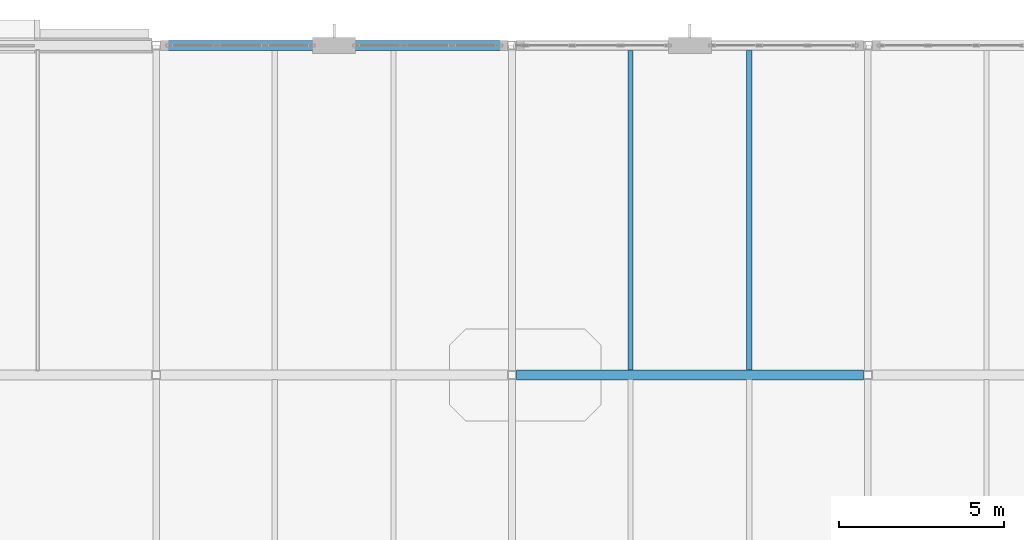
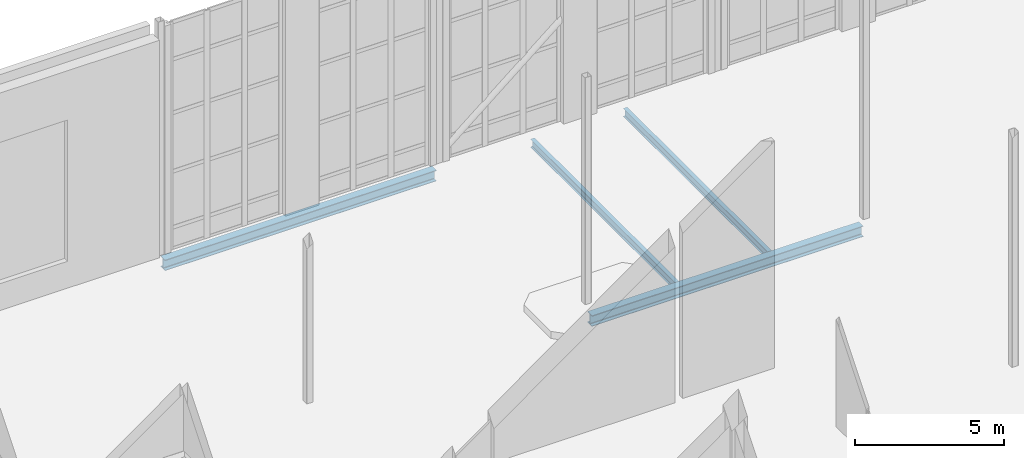
# One storey, part 46 of 100: 4 beams.
"""IFC4 building model written with IfcOpenShell, lengths in metres."""

from ifc_helpers import new_model, si_unit, direction, frame, origin, origin_2d, place, context, subcontext, project, spatial, i_section, extrude, material, material_profile, profile_set, type_object, element, save


model = new_model("IFC4")

# Units and contexts
model_context = context("Model", 3, precision=1e-05, world=origin(), true_north=direction((0.0, 1.0)))
body_context = subcontext(model_context, "Body", "Model", "MODEL_VIEW")
ifc_project = project(units=[si_unit("LENGTHUNIT", "METRE"), si_unit("AREAUNIT", "SQUARE_METRE"), si_unit("VOLUMEUNIT", "CUBIC_METRE"), si_unit("PLANEANGLEUNIT", "RADIAN"), si_unit("MASSUNIT", "GRAM", prefix="KILO")], contexts=[model_context])

# Site, building, storey
site_placement = place(None, origin())
site = spatial("IfcSite", under=ifc_project, at=site_placement, CompositionType="ELEMENT")
building_placement = place(site_placement, origin())
building = spatial("IfcBuilding", under=site, at=building_placement, Name="Tasgan Crest Museum", CompositionType="ELEMENT")
storey_placement = place(building_placement, frame((0.0, 0.0, 14.39990234375)))
storey = spatial("IfcBuildingStorey", under=building, at=storey_placement, Name="L03", CompositionType="ELEMENT", Elevation=14.39990234375)

# Beams
ifc_material_1 = material(Name="Steel S355J2", Category="steel")
ifc_material_profile_1 = material_profile(ifc_material_1, i_section(OverallWidth=0.300048828125, OverallDepth=0.43994140625, WebThickness=0.011474609375, FlangeThickness=0.02099609375, FilletRadius=0.027099609375, at=origin_2d()), Name="HEA 450")
ifc_profile_set_1 = profile_set([ifc_material_profile_1], Name="Steel S355J2")
beam_type_1 = type_object("IfcBeamType", Name="BM-G-HEA450", PredefinedType="BEAM", material=ifc_profile_set_1)
beam_1_placement = place(storey_placement, frame((21.732421875, 102.0, -0.4599609375), z_axis=(1.0, 0.0, 0.0), x_axis=(0.0, 1.0, 0.0)))
element("IfcBeam", 1, at=beam_1_placement, inside=storey, type_object=beam_type_1, Name="Girder L03 L 21.6-32.4", PredefinedType="BEAM", context=body_context, shape_type="SweptSolid", body=[
    extrude(i_section(OverallWidth=0.300048828125, OverallDepth=0.43994140625, WebThickness=0.011474609375, FlangeThickness=0.02099609375, FilletRadius=0.027099609375, at=origin_2d()), origin(), (0.0, 0.0, 1.0), 10.53515625),
])
beam_2_placement = place(storey_placement, frame((10.9326171875, 112.0, -0.4599609375), z_axis=(1.0, 0.0, 0.0), x_axis=(0.0, 1.0, 0.0)))
element("IfcBeam", 2, at=beam_2_placement, inside=storey, type_object=beam_type_1, Name="Girder L03 M 10.8-21.6", PredefinedType="BEAM", context=body_context, shape_type="SweptSolid", body=[
    extrude(i_section(OverallWidth=0.300048828125, OverallDepth=0.43994140625, WebThickness=0.011474609375, FlangeThickness=0.02099609375, FilletRadius=0.027099609375, at=origin_2d()), origin(), (0.0, 0.0, 1.0), 10.534912109375),
])
ifc_material_2 = material(Name="Steel S355J2", Category="steel")
ifc_material_profile_2 = material_profile(ifc_material_2, i_section(OverallWidth=0.159912109375, OverallDepth=0.330078125, WebThickness=0.007568359375, FlangeThickness=0.011474609375, FilletRadius=0.01806640625, at=origin_2d()), Name="IPE 330")
ifc_profile_set_2 = profile_set([ifc_material_profile_2], Name="Steel S355J2")
beam_type_2 = type_object("IfcBeamType", Name="BM-J-IPE330", PredefinedType="JOIST", material=ifc_profile_set_2)
for number, where, z_axis, x_axis, name in (
    (3, (25.199951171875, 102.14501953125, -0.40478515625), (0.0, 1.0, 0.0), (-1.0, 0.0, 0.0), "Secondary joist L03 X=25.2 Y=102.0-112.0"),
    (4, (28.800048828125, 102.14501953125, -0.40478515625), (0.0, 1.0, 0.0), (-1.0, 0.0, 0.0), "Secondary joist L03 X=28.8 Y=102.0-112.0"),
):
    element("IfcBeam", number, at=place(storey_placement, frame(where, z_axis=z_axis, x_axis=x_axis)), inside=storey, type_object=beam_type_2, Name=name, PredefinedType="JOIST", context=body_context, shape_type="SweptSolid", body=[
        extrude(i_section(OverallWidth=0.159912109375, OverallDepth=0.330078125, WebThickness=0.007568359375, FlangeThickness=0.011474609375, FilletRadius=0.01806640625, at=origin_2d()), origin(), (0.0, 0.0, 1.0), 9.7099609375),
    ])

save(model, "model.ifc")
